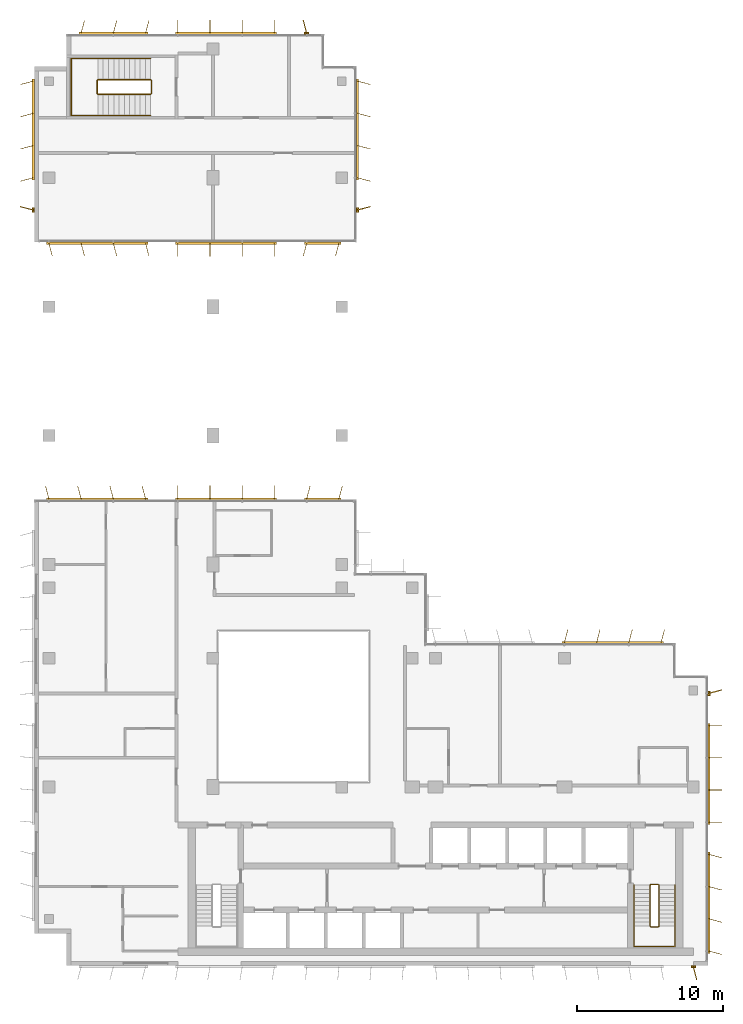
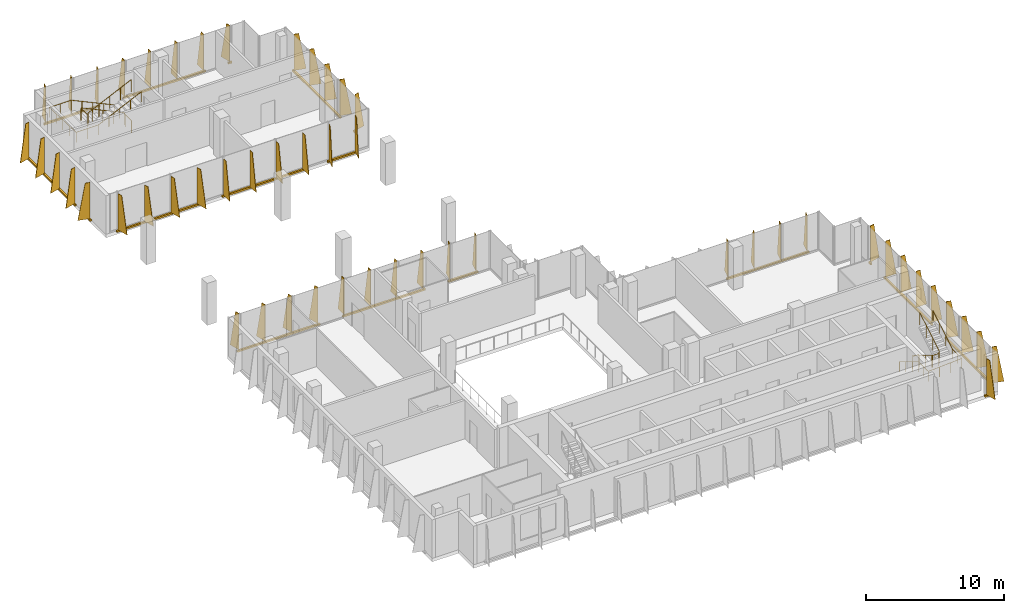
# One storey, part 14 of 14: 18 shading devices, 4 railings.
"""IFC4 building model written with IfcOpenShell, lengths in metres."""

import ifcopenshell
import ifcopenshell.guid

model = None  # the IFC model being written
_history = None  # IfcOwnerHistory: only IFC2X3 demands one
_inside = {}  # id of a spatial element -> (the spatial element, [elements in it])
_under = {}  # id of a project, library or spatial element -> (it, [spatial elements below it])
_declared = {}  # id of a project -> (the project, [libraries it declares])
_typed = {}  # id of a type object -> (the type object, [elements of that type])
_made_of = {}  # id of a material, layer set ... -> (it, [elements and type objects made of it])


def new_model(schema):
    """Start an empty IFC model of exactly this schema.

    Asked for "IFC4X3", IfcOpenShell would pick the latest addendum, in which some entities
    have other attributes; the version numbers below select the first issue.
    IFC2X3 requires an IfcOwnerHistory on every rooted entity: one is made here for all.
    """
    global model, _history
    if schema == "IFC4X3":
        model = ifcopenshell.file(schema_version=(4, 3, 0, 0))
    else:
        model = ifcopenshell.file(schema=schema)
    _inside.clear()
    _under.clear()
    _declared.clear()
    _typed.clear()
    _made_of.clear()
    _history = None
    if model.schema == "IFC2X3":
        org = make("IfcOrganization", Name="unknown")
        user = make(
            "IfcPersonAndOrganization",
            ThePerson=make("IfcPerson", FamilyName="unknown"),
            TheOrganization=org,
        )
        app = make(
            "IfcApplication",
            ApplicationDeveloper=org,
            Version="unknown",
            ApplicationFullName="unknown",
            ApplicationIdentifier="unknown",
        )
        _history = make(
            "IfcOwnerHistory",
            OwningUser=user,
            OwningApplication=app,
            ChangeAction="ADDED",
            CreationDate=0,
        )
    return model


def make(cls, **values):
    """One entity of the class cls with the attributes given. An attribute that is None is left unset."""
    return model.create_entity(
        cls, **{name: value for name, value in values.items() if value is not None}
    )


def rooted(cls, **values):
    """An entity with a GlobalId (a new one), such as an element, a storey or a relation."""
    return make(cls, GlobalId=ifcopenshell.guid.new(), OwnerHistory=_history, **values)


def si_unit(unit_type, name, prefix=None):
    """IfcSIUnit, for example si_unit("LENGTHUNIT", "METRE", prefix="MILLI")."""
    return make("IfcSIUnit", UnitType=unit_type, Prefix=prefix, Name=name)


def assignment(units):
    """IfcUnitAssignment: the units of a project."""
    return None if units is None else make("IfcUnitAssignment", Units=units)


def point(xyz):
    """IfcCartesianPoint."""
    return None if xyz is None else make("IfcCartesianPoint", Coordinates=xyz)


def direction(xyz):
    """IfcDirection."""
    return None if xyz is None else make("IfcDirection", DirectionRatios=xyz)


def frame(location, z_axis=None, x_axis=None):
    """IfcAxis2Placement3D, a coordinate frame: its origin and axes. An axis left out is left unset."""
    return make(
        "IfcAxis2Placement3D",
        Location=point(location),
        Axis=direction(z_axis),
        RefDirection=direction(x_axis),
    )


def frame_2d(location, x_axis=None):
    """IfcAxis2Placement2D, a coordinate frame in the plane: its origin and x axis."""
    return make(
        "IfcAxis2Placement2D", Location=point(location), RefDirection=direction(x_axis)
    )


def origin():
    """The frame at (0, 0, 0) with its axes left unset."""
    return frame((0.0, 0.0, 0.0))


def origin_2d():
    """The frame at (0, 0) in the plane with its x axis left unset."""
    return frame_2d((0.0, 0.0))


def place(relative_to, where):
    """IfcLocalPlacement: puts the frame where relative to a parent placement (None: the world)."""
    return make(
        "IfcLocalPlacement", PlacementRelTo=relative_to, RelativePlacement=where
    )


def context(
    kind, dimensions, precision=None, world=None, true_north=None, identifier=None
):
    """IfcGeometricRepresentationContext, for example the 3D "Model" context."""
    return make(
        "IfcGeometricRepresentationContext",
        ContextIdentifier=identifier,
        ContextType=kind,
        CoordinateSpaceDimension=dimensions,
        Precision=precision,
        WorldCoordinateSystem=world,
        TrueNorth=true_north,
    )


def subcontext(parent, identifier, kind, view, scale=None):
    """IfcGeometricRepresentationSubContext, for example "Body" below "Model"."""
    return make(
        "IfcGeometricRepresentationSubContext",
        ContextIdentifier=identifier,
        ContextType=kind,
        ParentContext=parent,
        TargetScale=scale,
        TargetView=view,
    )


def project(units=None, contexts=None):
    """IfcProject with its units and contexts."""
    return rooted(
        "IfcProject",
        Name="project",
        RepresentationContexts=contexts,
        UnitsInContext=assignment(units),
    )


def spatial(cls, under=None, at=None, **own):
    """A site, building, storey or space (cls), placed at a placement, below another one or the project."""
    s = rooted(cls, ObjectPlacement=at, **own)
    if under is not None:
        _under.setdefault(under.id(), (under, []))[1].append(s)
    return s


def polyline(points):
    """IfcPolyline through the points."""
    return make("IfcPolyline", Points=[point(p) for p in points])


def profile(cls, at=None, kind="AREA", **sizes):
    """A parametric profile (cls). Its sizes go by their IFC names, for example OverallWidth=200.0."""
    return make(cls, ProfileType=kind, Position=at, **sizes)


def rectangle(**sizes):
    """IfcRectangleProfileDef."""
    return profile("IfcRectangleProfileDef", **sizes)


def circle(**sizes):
    """IfcCircleProfileDef."""
    return profile("IfcCircleProfileDef", **sizes)


def outline(outer, holes=None, kind="AREA"):
    """IfcArbitraryClosedProfileDef: a profile drawn as a closed curve; with holes, ...WithVoids."""
    if holes is None:
        return make("IfcArbitraryClosedProfileDef", ProfileType=kind, OuterCurve=outer)
    return make(
        "IfcArbitraryProfileDefWithVoids",
        ProfileType=kind,
        OuterCurve=outer,
        InnerCurves=holes,
    )


def extrude(swept, where, along, depth):
    """IfcExtrudedAreaSolid: the profile swept, set in the frame where, extruded along a direction by depth."""
    return make(
        "IfcExtrudedAreaSolid",
        SweptArea=swept,
        Position=where,
        ExtrudedDirection=direction(along),
        Depth=depth,
    )


def shape(context_of_items, identifier, shape_type, items):
    """IfcShapeRepresentation: the items that make up one representation, for example the "Body"."""
    return make(
        "IfcShapeRepresentation",
        ContextOfItems=context_of_items,
        RepresentationIdentifier=identifier,
        RepresentationType=shape_type,
        Items=items,
    )


def source(mapping_origin, context_of_items, identifier, shape_type, items):
    """IfcRepresentationMap: a shape defined once, which mapped items show again and again."""
    return make(
        "IfcRepresentationMap",
        MappingOrigin=mapping_origin,
        MappedRepresentation=shape(context_of_items, identifier, shape_type, items),
    )


def transform(
    local_origin,
    x_axis=None,
    y_axis=None,
    z_axis=None,
    scale=None,
    scale2=None,
    scale3=None,
    uniform=True,
):
    """IfcCartesianTransformationOperator3D, or its non-uniform kind. x_axis, y_axis, z_axis: its Axis1, 2, 3."""
    if uniform:
        return make(
            "IfcCartesianTransformationOperator3D",
            Axis1=direction(x_axis),
            Axis2=direction(y_axis),
            LocalOrigin=point(local_origin),
            Scale=scale,
            Axis3=direction(z_axis),
        )
    return make(
        "IfcCartesianTransformationOperator3DnonUniform",
        Axis1=direction(x_axis),
        Axis2=direction(y_axis),
        LocalOrigin=point(local_origin),
        Scale=scale,
        Axis3=direction(z_axis),
        Scale2=scale2,
        Scale3=scale3,
    )


def mapped(mapping_source, mapping_target):
    """IfcMappedItem: shows the shape of a source again, moved by a transform."""
    return make(
        "IfcMappedItem", MappingSource=mapping_source, MappingTarget=mapping_target
    )


def material(Name=None, Category=None):
    """IfcMaterial."""
    return make("IfcMaterial", Name=Name, Category=Category)


def layer(
    of_material, thickness, ventilated=None, Name=None, Category=None, Priority=None
):
    """IfcMaterialLayer: one layer of a wall or slab, of a material (None: an air gap)."""
    return make(
        "IfcMaterialLayer",
        Material=of_material,
        LayerThickness=thickness,
        IsVentilated=ventilated,
        Name=Name,
        Category=Category,
        Priority=Priority,
    )


def layer_set(layers, Name=None):
    """IfcMaterialLayerSet."""
    return make("IfcMaterialLayerSet", MaterialLayers=layers, LayerSetName=Name)


def made_of(thing, what):
    """Note that an element or type object is made of a material, layer set ...; save() writes the relation."""
    if what is not None:
        _made_of.setdefault(what.id(), (what, []))[1].append(thing)
    return thing


def type_object(cls, material=None, **own):
    """A type object (cls), such as IfcWallType, which elements share."""
    return made_of(rooted(cls, **own), material)


def element(
    cls,
    number,
    at=None,
    inside=None,
    cuts=None,
    type_object=None,
    material=None,
    context=None,
    identifier="Body",
    shape_type=None,
    held_by="IfcProductDefinitionShape",
    body=None,
    shapes=None,
    **own,
):
    """One element of the class cls, such as IfcWall. Its Tag is "e" and its number.

    at: its placement. inside: the storey or other place that contains it. cuts: it is an
    opening in that element (IfcRelVoidsElement). A single representation is given by context,
    identifier, shape_type and body (its items); several are given by shapes. held_by: the class
    of the entity that holds the representations. save() writes the other relations.
    """
    e = rooted(cls, Tag="e%d" % number, ObjectPlacement=at, **own)
    if body is not None:
        shapes = [shape(context, identifier, shape_type, body)]
    if shapes is not None:
        e.Representation = make(held_by, Representations=shapes)
    if inside is not None:
        _inside.setdefault(inside.id(), (inside, []))[1].append(e)
    if cuts is not None:
        rooted(
            "IfcRelVoidsElement", RelatingBuildingElement=cuts, RelatedOpeningElement=e
        )
    if type_object is not None:
        _typed.setdefault(type_object.id(), (type_object, []))[1].append(e)
    return made_of(e, material)


def aggregate(whole, parts):
    """IfcRelAggregates: a whole, such as a stair, and the parts it consists of."""
    return rooted("IfcRelAggregates", RelatingObject=whole, RelatedObjects=parts)


def save(model, path):
    """Write the relations noted so far, then the file.

    IfcRelAggregates (storeys below a building ...), IfcRelContainedInSpatialStructure (elements
    in a storey), IfcRelDefinesByType, IfcRelAssociatesMaterial and IfcRelDeclares: one each for
    every whole, place, type object, material and project.
    """
    for whole, parts in _under.values():
        aggregate(whole, parts)
    for where, things in _inside.values():
        rooted(
            "IfcRelContainedInSpatialStructure",
            RelatedElements=things,
            RelatingStructure=where,
        )
    for kind, things in _typed.values():
        rooted("IfcRelDefinesByType", RelatedObjects=things, RelatingType=kind)
    for what, things in _made_of.values():
        rooted("IfcRelAssociatesMaterial", RelatedObjects=things, RelatingMaterial=what)
    for by, libraries in _declared.values():
        rooted("IfcRelDeclares", RelatingContext=by, RelatedDefinitions=libraries)
    model.write(path)


model = new_model("IFC4")

# Units and contexts
model_context = context("Model", 3, precision=1e-05, world=origin(), true_north=direction((0.0, 1.0)))
body_context = subcontext(model_context, "Body", "Model", "MODEL_VIEW")
ifc_project = project(units=[si_unit("LENGTHUNIT", "METRE"), si_unit("AREAUNIT", "SQUARE_METRE"), si_unit("VOLUMEUNIT", "CUBIC_METRE"), si_unit("PLANEANGLEUNIT", "RADIAN"), si_unit("MASSUNIT", "GRAM", prefix="KILO")], contexts=[model_context])

# Site, building, storey
site_placement = place(None, origin())
site = spatial("IfcSite", under=ifc_project, at=site_placement, CompositionType="ELEMENT")
building_placement = place(site_placement, origin())
building = spatial("IfcBuilding", under=site, at=building_placement, Name="Kemantara Hotel Tower", CompositionType="ELEMENT")
storey_placement = place(building_placement, frame((0.0, 0.0, 248.699951171875)))
storey = spatial("IfcBuildingStorey", under=building, at=storey_placement, Name="L62", CompositionType="ELEMENT", Elevation=248.699951171875)

# Railings
ifc_material_1 = material(Name="Stainless steel balustrade", Category="steel")
railing_type_1 = type_object("IfcRailingType", Name="Stair guard 1100 mm", PredefinedType="GUARDRAIL", material=ifc_material_1)
railing_1_placement = place(storey_placement, frame((42.64990234375, 5.5, 3.699951171875)))
element("IfcRailing", 1, at=railing_1_placement, inside=storey, type_object=railing_type_1, Name="L62 ST2 stair guard 1", PredefinedType="GUARDRAIL", context=body_context, shape_type="SweptSolid", body=[
    extrude(circle(Radius=0.02392578125, at=origin_2d()), frame((0.0, 0.0, 1.076171875), z_axis=(0.0, -0.857275202839, -0.514858452973), x_axis=(1.0, 0.0, 0.0)), (0.0, 0.0, 1.0), 3.26611328125),
    extrude(circle(Radius=0.02392578125, at=origin_2d()), frame((0.0, -2.800048828125, -0.60546875), z_axis=(-0.273006030465, -0.27434429532, -0.922064485248), x_axis=(0.708833529934, -0.705375805398, 0.0)), (0.0, 0.0, 1.0), 0.182373046875),
    extrude(circle(Radius=0.02392578125, at=origin_2d()), frame((-0.0498046875, -2.85009765625, -0.77392578125), z_axis=(-1.0, 0.0, 0.0), x_axis=(0.0, -1.0, 0.0)), (0.0, 0.0, 1.0), 0.5),
    extrude(circle(Radius=0.02392578125, at=origin_2d()), frame((-0.5498046875, -2.85009765625, -0.77392578125), z_axis=(-0.707106781187, 0.707106781187, 0.0), x_axis=(-0.707106781187, -0.707106781187, 0.0)), (0.0, 0.0, 1.0), 0.07080078125),
    extrude(circle(Radius=0.02392578125, at=origin_2d()), frame((-0.599853515625, -2.800048828125, -0.77392578125), z_axis=(0.0, 0.857242210791, -0.514913383045), x_axis=(-1.0, 0.0, 0.0)), (0.0, 0.0, 1.0), 3.266357421875),
    extrude(circle(Radius=0.02392578125, at=origin_2d()), frame((-0.599853515625, 0.0, -2.45556640625), z_axis=(0.274243871929, 0.274243871929, -0.92172696468), x_axis=(-0.707106781187, 0.707106781187, 0.0)), (0.0, 0.0, 1.0), 0.1826171875),
    extrude(circle(Radius=0.02392578125, at=origin_2d()), frame((-0.5498046875, 0.050048828125, -2.6240234375), z_axis=(1.0, 0.0, 0.0), x_axis=(0.0, 1.0, 0.0)), (0.0, 0.0, 1.0), 0.5),
    extrude(circle(Radius=0.02099609375, at=origin_2d()), origin(), (0.0, 0.0, 1.0), 1.052001953125),
    extrude(circle(Radius=0.02099609375, at=origin_2d()), frame((0.0, -0.933349609375, -0.560546875)), (0.0, 0.0, 1.0), 1.052001953125),
    extrude(circle(Radius=0.02099609375, at=origin_2d()), frame((0.0, -1.86669921875, -1.12109375)), (0.0, 0.0, 1.0), 1.052001953125),
    extrude(circle(Radius=0.02099609375, at=origin_2d()), frame((0.0, -2.800048828125, -1.681640625)), (0.0, 0.0, 1.0), 1.052001953125),
    extrude(circle(Radius=0.02099609375, at=origin_2d()), frame((-0.0498046875, -2.85009765625, -1.849853515625)), (0.0, 0.0, 1.0), 1.052001953125),
    extrude(circle(Radius=0.02099609375, at=origin_2d()), frame((-0.5498046875, -2.85009765625, -1.849853515625)), (0.0, 0.0, 1.0), 1.052001953125),
    extrude(circle(Radius=0.02099609375, at=origin_2d()), frame((-0.599853515625, -2.800048828125, -1.849853515625)), (0.0, 0.0, 1.0), 1.052001953125),
    extrude(circle(Radius=0.02099609375, at=origin_2d()), frame((-0.599853515625, -1.86669921875, -2.410400390625)), (0.0, 0.0, 1.0), 1.052001953125),
    extrude(circle(Radius=0.02099609375, at=origin_2d()), frame((-0.599853515625, -0.933349609375, -2.97119140625)), (0.0, 0.0, 1.0), 1.052001953125),
    extrude(circle(Radius=0.02099609375, at=origin_2d()), frame((-0.599853515625, 0.0, -3.53173828125)), (0.0, 0.0, 1.0), 1.052001953125),
    extrude(circle(Radius=0.02099609375, at=origin_2d()), frame((-0.5498046875, 0.050048828125, -3.699951171875)), (0.0, 0.0, 1.0), 1.052001953125),
    extrude(circle(Radius=0.02099609375, at=origin_2d()), frame((-0.0498046875, 0.050048828125, -3.699951171875)), (0.0, 0.0, 1.0), 1.052001953125),
])
railing_2_placement = place(storey_placement, frame((7.949951171875, 59.5, 3.699951171875)))
element("IfcRailing", 2, at=railing_2_placement, inside=storey, type_object=railing_type_1, Name="L62 ST4 stair guard 1", PredefinedType="GUARDRAIL", context=body_context, shape_type="SweptSolid", body=[
    extrude(circle(Radius=0.02392578125, at=origin_2d()), frame((0.0, 0.0, 1.076171875), z_axis=(-0.906018243939, 0.0, -0.423238634402), x_axis=(0.0, -1.0, 0.0)), (0.0, 0.0, 1.0), 3.973388671875),
    extrude(circle(Radius=0.02392578125, at=origin_2d()), frame((-3.599853515625, 0.0, -0.60546875), z_axis=(-0.274243871929, 0.274243871929, -0.92172696468), x_axis=(-0.707106781187, -0.707106781187, 0.0)), (0.0, 0.0, 1.0), 0.1826171875),
    extrude(circle(Radius=0.02392578125, at=origin_2d()), frame((-3.64990234375, 0.050048828125, -0.77392578125), z_axis=(0.0, 1.0, 0.0), x_axis=(-1.0, 0.0, 0.0)), (0.0, 0.0, 1.0), 0.89990234375),
    extrude(circle(Radius=0.02392578125, at=origin_2d()), frame((-3.64990234375, 0.949951171875, -0.77392578125), z_axis=(0.707106781187, 0.707106781187, 0.0), x_axis=(-0.707106781187, 0.707106781187, 0.0)), (0.0, 0.0, 1.0), 0.07080078125),
    extrude(circle(Radius=0.02392578125, at=origin_2d()), frame((-3.599853515625, 1.0, -0.77392578125), z_axis=(0.905994681025, 0.0, -0.423289071386), x_axis=(0.0, 1.0, 0.0)), (0.0, 0.0, 1.0), 3.973388671875),
    extrude(circle(Radius=0.02392578125, at=origin_2d()), frame((0.0, 1.0, -2.45556640625), z_axis=(0.274243871929, -0.274243871929, -0.92172696468), x_axis=(0.707106781187, 0.707106781187, 0.0)), (0.0, 0.0, 1.0), 0.1826171875),
    extrude(circle(Radius=0.02392578125, at=origin_2d()), frame((0.050048828125, 0.949951171875, -2.6240234375), z_axis=(0.0, -1.0, 0.0), x_axis=(1.0, 0.0, 0.0)), (0.0, 0.0, 1.0), 0.89990234375),
    extrude(circle(Radius=0.02099609375, at=origin_2d()), origin(), (0.0, 0.0, 1.0), 1.052001953125),
    extrude(circle(Radius=0.02099609375, at=origin_2d()), frame((-0.89990234375, 0.0, -0.42041015625)), (0.0, 0.0, 1.0), 1.052001953125),
    extrude(circle(Radius=0.02099609375, at=origin_2d()), frame((-1.7998046875, 0.0, -0.8408203125)), (0.0, 0.0, 1.0), 1.052001953125),
    extrude(circle(Radius=0.02099609375, at=origin_2d()), frame((-2.699951171875, 0.0, -1.26123046875)), (0.0, 0.0, 1.0), 1.052001953125),
    extrude(circle(Radius=0.02099609375, at=origin_2d()), frame((-3.599853515625, 0.0, -1.681640625)), (0.0, 0.0, 1.0), 1.052001953125),
    extrude(circle(Radius=0.02099609375, at=origin_2d()), frame((-3.64990234375, 0.050048828125, -1.849853515625)), (0.0, 0.0, 1.0), 1.052001953125),
    extrude(circle(Radius=0.02099609375, at=origin_2d()), frame((-3.64990234375, 0.949951171875, -1.849853515625)), (0.0, 0.0, 1.0), 1.052001953125),
    extrude(circle(Radius=0.02099609375, at=origin_2d()), frame((-3.599853515625, 1.0, -1.849853515625)), (0.0, 0.0, 1.0), 1.052001953125),
    extrude(circle(Radius=0.02099609375, at=origin_2d()), frame((-2.699951171875, 1.0, -2.270263671875)), (0.0, 0.0, 1.0), 1.052001953125),
    extrude(circle(Radius=0.02099609375, at=origin_2d()), frame((-1.7998046875, 1.0, -2.69091796875)), (0.0, 0.0, 1.0), 1.052001953125),
    extrude(circle(Radius=0.02099609375, at=origin_2d()), frame((-0.89990234375, 1.0, -3.111328125)), (0.0, 0.0, 1.0), 1.052001953125),
    extrude(circle(Radius=0.02099609375, at=origin_2d()), frame((0.0, 1.0, -3.53173828125)), (0.0, 0.0, 1.0), 1.052001953125),
    extrude(circle(Radius=0.02099609375, at=origin_2d()), frame((0.050048828125, 0.949951171875, -3.699951171875)), (0.0, 0.0, 1.0), 1.052001953125),
    extrude(circle(Radius=0.02099609375, at=origin_2d()), frame((0.050048828125, 0.050048828125, -3.699951171875)), (0.0, 0.0, 1.0), 1.052001953125),
])
railing_type_2 = type_object("IfcRailingType", Name="Stair handrail 900 mm", PredefinedType="HANDRAIL", material=ifc_material_1)
railing_3_placement = place(storey_placement, frame((40.949951171875, 5.5, 0.168212890625)))
element("IfcRailing", 3, at=railing_3_placement, inside=storey, type_object=railing_type_2, Name="L62 ST2 stair handrail 1", PredefinedType="HANDRAIL", context=body_context, shape_type="SweptSolid", body=[
    extrude(circle(Radius=0.02392578125, at=origin_2d()), frame((0.0, 0.0, 0.8759765625), z_axis=(0.0, -0.857242210791, 0.514913383045), x_axis=(1.0, 0.0, 0.0)), (0.0, 0.0, 1.0), 3.266357421875),
    extrude(circle(Radius=0.02392578125, at=origin_2d()), frame((0.0, -2.800048828125, 2.5576171875), z_axis=(0.0, -1.0, 0.0), x_axis=(1.0, 0.0, 0.0)), (0.0, 0.0, 1.0), 1.3798828125),
    extrude(circle(Radius=0.02392578125, at=origin_2d()), frame((0.0, -4.179931640625, 2.5576171875), z_axis=(0.998200367801, 0.0, 0.059966871865), x_axis=(0.0, 1.0, 0.0)), (0.0, 0.0, 1.0), 2.80517578125),
    extrude(circle(Radius=0.02392578125, at=origin_2d()), frame((2.800048828125, -4.179931640625, 2.72607421875), z_axis=(0.0, 1.0, 0.0), x_axis=(-1.0, 0.0, 0.0)), (0.0, 0.0, 1.0), 1.3798828125),
    extrude(circle(Radius=0.02392578125, at=origin_2d()), frame((2.800048828125, -2.800048828125, 2.72607421875), z_axis=(0.0, 0.857275202839, 0.514858452973), x_axis=(-1.0, 0.0, 0.0)), (0.0, 0.0, 1.0), 3.26611328125),
    extrude(circle(Radius=0.02099609375, at=origin_2d()), origin(), (0.0, 0.0, 1.0), 0.851806640625),
    extrude(circle(Radius=0.02099609375, at=origin_2d()), frame((0.0, -0.933349609375, 0.560546875)), (0.0, 0.0, 1.0), 0.851806640625),
    extrude(circle(Radius=0.02099609375, at=origin_2d()), frame((0.0, -1.86669921875, 1.121337890625)), (0.0, 0.0, 1.0), 0.851806640625),
    extrude(circle(Radius=0.02099609375, at=origin_2d()), frame((0.0, -2.800048828125, 1.681884765625)), (0.0, 0.0, 1.0), 0.851806640625),
    extrude(circle(Radius=0.02099609375, at=origin_2d()), frame((0.0, -3.489990234375, 1.681884765625)), (0.0, 0.0, 1.0), 0.851806640625),
    extrude(circle(Radius=0.02099609375, at=origin_2d()), frame((0.0, -4.179931640625, 1.681884765625)), (0.0, 0.0, 1.0), 0.851806640625),
    extrude(circle(Radius=0.02099609375, at=origin_2d()), frame((0.933349609375, -4.179931640625, 1.738037109375)), (0.0, 0.0, 1.0), 0.851806640625),
    extrude(circle(Radius=0.02099609375, at=origin_2d()), frame((1.86669921875, -4.179931640625, 1.7939453125)), (0.0, 0.0, 1.0), 0.851806640625),
    extrude(circle(Radius=0.02099609375, at=origin_2d()), frame((2.800048828125, -4.179931640625, 1.85009765625)), (0.0, 0.0, 1.0), 0.851806640625),
    extrude(circle(Radius=0.02099609375, at=origin_2d()), frame((2.800048828125, -3.489990234375, 1.85009765625)), (0.0, 0.0, 1.0), 0.851806640625),
    extrude(circle(Radius=0.02099609375, at=origin_2d()), frame((2.800048828125, -2.800048828125, 1.85009765625)), (0.0, 0.0, 1.0), 0.851806640625),
    extrude(circle(Radius=0.02099609375, at=origin_2d()), frame((2.800048828125, -1.86669921875, 2.41064453125)), (0.0, 0.0, 1.0), 0.851806640625),
    extrude(circle(Radius=0.02099609375, at=origin_2d()), frame((2.800048828125, -0.933349609375, 2.97119140625)), (0.0, 0.0, 1.0), 0.851806640625),
    extrude(circle(Radius=0.02099609375, at=origin_2d()), frame((2.800048828125, 0.0, 3.53173828125)), (0.0, 0.0, 1.0), 0.851806640625),
])
railing_4_placement = place(storey_placement, frame((7.949951171875, 61.949951171875, 0.168212890625)))
element("IfcRailing", 4, at=railing_4_placement, inside=storey, type_object=railing_type_2, Name="L62 ST4 stair handrail 1", PredefinedType="HANDRAIL", context=body_context, shape_type="SweptSolid", body=[
    extrude(circle(Radius=0.02392578125, at=origin_2d()), frame((0.0, 0.0, 0.8759765625), z_axis=(-0.905994681025, 0.0, 0.423289071386), x_axis=(0.0, -1.0, 0.0)), (0.0, 0.0, 1.0), 3.973388671875),
    extrude(circle(Radius=0.02392578125, at=origin_2d()), frame((-3.599853515625, 0.0, 2.5576171875), z_axis=(-1.0, 0.0, 0.0), x_axis=(0.0, -1.0, 0.0)), (0.0, 0.0, 1.0), 1.830078125),
    extrude(circle(Radius=0.02392578125, at=origin_2d()), frame((-5.429931640625, 0.0, 2.5576171875), z_axis=(0.0, -0.999071085748, 0.043092523981), x_axis=(1.0, 0.0, 0.0)), (0.0, 0.0, 1.0), 3.903564453125),
    extrude(circle(Radius=0.02392578125, at=origin_2d()), frame((-5.429931640625, -3.89990234375, 2.72607421875), z_axis=(1.0, 0.0, 0.0), x_axis=(0.0, 1.0, 0.0)), (0.0, 0.0, 1.0), 1.830078125),
    extrude(circle(Radius=0.02392578125, at=origin_2d()), frame((-3.599853515625, -3.89990234375, 2.72607421875), z_axis=(0.906018243939, 0.0, 0.423238634402), x_axis=(0.0, 1.0, 0.0)), (0.0, 0.0, 1.0), 3.973388671875),
    extrude(circle(Radius=0.02099609375, at=origin_2d()), origin(), (0.0, 0.0, 1.0), 0.851806640625),
    extrude(circle(Radius=0.02099609375, at=origin_2d()), frame((-0.89990234375, 0.0, 0.42041015625)), (0.0, 0.0, 1.0), 0.851806640625),
    extrude(circle(Radius=0.02099609375, at=origin_2d()), frame((-1.7998046875, 0.0, 0.8408203125)), (0.0, 0.0, 1.0), 0.851806640625),
    extrude(circle(Radius=0.02099609375, at=origin_2d()), frame((-2.699951171875, 0.0, 1.261474609375)), (0.0, 0.0, 1.0), 0.851806640625),
    extrude(circle(Radius=0.02099609375, at=origin_2d()), frame((-3.599853515625, 0.0, 1.681884765625)), (0.0, 0.0, 1.0), 0.851806640625),
    extrude(circle(Radius=0.02099609375, at=origin_2d()), frame((-4.514892578125, 0.0, 1.681884765625)), (0.0, 0.0, 1.0), 0.851806640625),
    extrude(circle(Radius=0.02099609375, at=origin_2d()), frame((-5.429931640625, 0.0, 1.681884765625)), (0.0, 0.0, 1.0), 0.851806640625),
    extrude(circle(Radius=0.02099609375, at=origin_2d()), frame((-5.429931640625, -0.97509765625, 1.723876953125)), (0.0, 0.0, 1.0), 0.851806640625),
    extrude(circle(Radius=0.02099609375, at=origin_2d()), frame((-5.429931640625, -1.949951171875, 1.76611328125)), (0.0, 0.0, 1.0), 0.851806640625),
    extrude(circle(Radius=0.02099609375, at=origin_2d()), frame((-5.429931640625, -2.9248046875, 1.80810546875)), (0.0, 0.0, 1.0), 0.851806640625),
    extrude(circle(Radius=0.02099609375, at=origin_2d()), frame((-5.429931640625, -3.89990234375, 1.85009765625)), (0.0, 0.0, 1.0), 0.851806640625),
    extrude(circle(Radius=0.02099609375, at=origin_2d()), frame((-4.514892578125, -3.89990234375, 1.85009765625)), (0.0, 0.0, 1.0), 0.851806640625),
    extrude(circle(Radius=0.02099609375, at=origin_2d()), frame((-3.599853515625, -3.89990234375, 1.85009765625)), (0.0, 0.0, 1.0), 0.851806640625),
    extrude(circle(Radius=0.02099609375, at=origin_2d()), frame((-2.699951171875, -3.89990234375, 2.2705078125)), (0.0, 0.0, 1.0), 0.851806640625),
    extrude(circle(Radius=0.02099609375, at=origin_2d()), frame((-1.7998046875, -3.89990234375, 2.69091796875)), (0.0, 0.0, 1.0), 0.851806640625),
    extrude(circle(Radius=0.02099609375, at=origin_2d()), frame((-0.89990234375, -3.89990234375, 3.111328125)), (0.0, 0.0, 1.0), 0.851806640625),
    extrude(circle(Radius=0.02099609375, at=origin_2d()), frame((0.0, -3.89990234375, 3.53173828125)), (0.0, 0.0, 1.0), 0.851806640625),
])

# Shading devices
ifc_material_2 = material(Name="Perforated aluminium plate 4 mm bronze anodised", Category="aluminium")
ifc_layer_1 = layer(ifc_material_2, 0.0400390625)
ifc_layer_set_1 = layer_set([ifc_layer_1], Name="Perforated aluminium plate 4 mm bronze anodised")
shading_device_type_1 = type_object("IfcShadingDeviceType", Name="SCREEN FIN CASSETTE, 3 BLADES AT -15.0 DEG, 3200 HIGH", PredefinedType="USERDEFINED", material=ifc_layer_set_1)
shared_shape_1 = source(origin(), body_context, "Body", "SweptSolid", [
    extrude(rectangle(XDim=4.699951171875, YDim=0.14990234375, at=origin_2d()), frame((2.199951171875, -0.074951171875, -0.14990234375), z_axis=(0.0, 0.0, 1.0), x_axis=(1.0, 0.0, 0.0)), (0.0, 0.0, 1.0), 0.14990234375),
    extrude(outline(polyline([(0.0, 0.0), (0.89990234375, 0.0), (0.35009765625, 3.199951171875), (0.0, 3.199951171875), (0.0, 0.0)])), frame((0.019287109375, -0.080078125, 0.0), z_axis=(-0.966437683387, 0.256901156343, 0.0), x_axis=(-0.256901156343, -0.966437683387, 0.0)), (0.0, 0.0, 1.0), 0.039794921875),
    extrude(outline(polyline([(0.0, 0.0), (0.89990234375, 0.0), (0.35009765625, 3.199951171875), (0.0, 3.199951171875), (0.0, 0.0)])), frame((2.21923828125, -0.080078125, 0.0), z_axis=(-0.966437683387, 0.256901156343, 0.0), x_axis=(-0.256901156343, -0.966437683387, 0.0)), (0.0, 0.0, 1.0), 0.039794921875),
    extrude(outline(polyline([(0.0, 0.0), (0.89990234375, 0.0), (0.35009765625, 3.199951171875), (0.0, 3.199951171875), (0.0, 0.0)])), frame((4.41943359375, -0.080078125, 0.0), z_axis=(-0.966837822169, 0.255391122837, 0.0), x_axis=(-0.255391122837, -0.966837822169, 0.0)), (0.0, 0.0, 1.0), 0.0400390625),
])
shading_device_1_placement = place(storey_placement, frame((7.60009765625, 63.60009765625, 0.10009765625), z_axis=(0.0, 0.0, 1.0), x_axis=(-1.0, 0.0, 0.0)))
element("IfcShadingDevice", 5, at=shading_device_1_placement, inside=storey, type_object=shading_device_type_1, Name="SCREEN FIN CASSETTE L62 T4P-R16-3", ObjectType="SCREEN FIN", PredefinedType="USERDEFINED", context=body_context, shape_type="MappedRepresentation", body=[
    mapped(shared_shape_1, transform((0.0, 0.0, 0.0))),
])
ifc_layer_2 = layer(ifc_material_2, 0.0400390625)
ifc_layer_set_2 = layer_set([ifc_layer_2], Name="Perforated aluminium plate 4 mm bronze anodised")
shading_device_type_2 = type_object("IfcShadingDeviceType", Name="SCREEN FIN CASSETTE, 4 BLADES AT +0.0 DEG, 3200 HIGH", PredefinedType="USERDEFINED", material=ifc_layer_set_2)
shared_shape_2 = source(origin(), body_context, "Body", "SweptSolid", [
    extrude(rectangle(XDim=6.89990234375, YDim=0.14990234375, at=origin_2d()), frame((3.300048828125, -0.074951171875, -0.14990234375), z_axis=(0.0, 0.0, 1.0), x_axis=(1.0, 0.0, 0.0)), (0.0, 0.0, 1.0), 0.14990234375),
    extrude(outline(polyline([(0.0, 0.0), (0.89990234375, 0.0), (0.35009765625, 3.199951171875), (0.0, 3.199951171875), (0.0, 0.0)])), frame((0.02001953125, -0.074951171875, 0.0), z_axis=(-1.0, 0.0, 0.0), x_axis=(0.0, -1.0, 0.0)), (0.0, 0.0, 1.0), 0.0400390625),
    extrude(outline(polyline([(0.0, 0.0), (0.89990234375, 0.0), (0.35009765625, 3.199951171875), (0.0, 3.199951171875), (0.0, 0.0)])), frame((2.219970703125, -0.074951171875, 0.0), z_axis=(-1.0, 0.0, 0.0), x_axis=(0.0, -1.0, 0.0)), (0.0, 0.0, 1.0), 0.0400390625),
    extrude(outline(polyline([(0.0, 0.0), (0.89990234375, 0.0), (0.35009765625, 3.199951171875), (0.0, 3.199951171875), (0.0, 0.0)])), frame((4.419921875, -0.074951171875, 0.0), z_axis=(-1.0, 0.0, 0.0), x_axis=(0.0, -1.0, 0.0)), (0.0, 0.0, 1.0), 0.0400390625),
    extrude(outline(polyline([(0.0, 0.0), (0.89990234375, 0.0), (0.35009765625, 3.199951171875), (0.0, 3.199951171875), (0.0, 0.0)])), frame((6.6201171875, -0.074951171875, 0.0), z_axis=(-1.0, 0.0, 0.0), x_axis=(0.0, -1.0, 0.0)), (0.0, 0.0, 1.0), 0.0400390625),
])
for number, where, z_axis, x_axis, name in (
    (6, (16.39990234375, 31.800048828125, 0.10009765625), (0.0, 0.0, 1.0), (-1.0, 0.0, 0.0), "SCREEN FIN CASSETTE L62 T4P-R01-2"),
    (7, (46.0, 9.800048828125, 0.10009765625), (0.0, 0.0, 1.0), (0.0, 1.0, 0.0), "SCREEN FIN CASSETTE L62 T4P-R06-2"),
    (8, (9.800048828125, 49.39990234375, 0.10009765625), (0.0, 0.0, 1.0), (1.0, 0.0, 0.0), "SCREEN FIN CASSETTE L62 T4P-R12-2"),
    (9, (16.39990234375, 63.60009765625, 0.10009765625), (0.0, 0.0, 1.0), (-1.0, 0.0, 0.0), "SCREEN FIN CASSETTE L62 T4P-R16-2"),
):
    element("IfcShadingDevice", number, at=place(storey_placement, frame(where, z_axis=z_axis, x_axis=x_axis)), inside=storey, type_object=shading_device_type_2, Name=name, ObjectType="SCREEN FIN", PredefinedType="USERDEFINED", context=body_context, shape_type="MappedRepresentation", body=[
        mapped(shared_shape_2, transform((0.0, 0.0, 0.0))),
    ])
ifc_layer_3 = layer(ifc_material_2, 0.0400390625)
ifc_layer_set_3 = layer_set([ifc_layer_3], Name="Perforated aluminium plate 4 mm bronze anodised")
shading_device_type_3 = type_object("IfcShadingDeviceType", Name="SCREEN FIN CASSETTE, 4 BLADES AT +15.0 DEG, 3200 HIGH", PredefinedType="USERDEFINED", material=ifc_layer_set_3)
shared_shape_3 = source(origin(), body_context, "Body", "SweptSolid", [
    extrude(rectangle(XDim=6.89990234375, YDim=0.14990234375, at=origin_2d()), frame((3.300048828125, -0.074951171875, -0.14990234375), z_axis=(0.0, 0.0, 1.0), x_axis=(1.0, 0.0, 0.0)), (0.0, 0.0, 1.0), 0.14990234375),
    extrude(outline(polyline([(0.0, 0.0), (0.89990234375, 0.0), (0.35009765625, 3.199951171875), (0.0, 3.199951171875), (0.0, 0.0)])), frame((0.019287109375, -0.06982421875, 0.0), z_axis=(-0.966437683387, -0.256901156343, 0.0), x_axis=(0.256901156343, -0.966437683387, 0.0)), (0.0, 0.0, 1.0), 0.039794921875),
    extrude(outline(polyline([(0.0, 0.0), (0.89990234375, 0.0), (0.35009765625, 3.199951171875), (0.0, 3.199951171875), (0.0, 0.0)])), frame((2.21923828125, -0.06982421875, 0.0), z_axis=(-0.966437683387, -0.256901156343, 0.0), x_axis=(0.256901156343, -0.966437683387, 0.0)), (0.0, 0.0, 1.0), 0.039794921875),
    extrude(outline(polyline([(0.0, 0.0), (0.89990234375, 0.0), (0.35009765625, 3.199951171875), (0.0, 3.199951171875), (0.0, 0.0)])), frame((4.41943359375, -0.06982421875, 0.0), z_axis=(-0.966837822169, -0.255391122837, 0.0), x_axis=(0.255391122837, -0.966837822169, 0.0)), (0.0, 0.0, 1.0), 0.0400390625),
    extrude(outline(polyline([(0.0, 0.0), (0.89990234375, 0.0), (0.35009765625, 3.199951171875), (0.0, 3.199951171875), (0.0, 0.0)])), frame((6.619384765625, -0.06982421875, 0.0), z_axis=(-0.966837822169, -0.255391122837, 0.0), x_axis=(0.255391122837, -0.966837822169, 0.0)), (0.0, 0.0, 1.0), 0.0400390625),
])
for number, where, z_axis, x_axis, name in (
    (10, (7.60009765625, 31.800048828125, 0.10009765625), (0.0, 0.0, 1.0), (-1.0, 0.0, 0.0), "SCREEN FIN CASSETTE L62 T4P-R01-3"),
    (11, (1.0, 49.39990234375, 0.10009765625), (0.0, 0.0, 1.0), (1.0, 0.0, 0.0), "SCREEN FIN CASSETTE L62 T4P-R12-1"),
    (12, (0.0, 60.39990234375, 0.10009765625), (0.0, 0.0, 1.0), (0.0, -1.0, 0.0), "SCREEN FIN CASSETTE L62 T4P-R19-1"),
):
    element("IfcShadingDevice", number, at=place(storey_placement, frame(where, z_axis=z_axis, x_axis=x_axis)), inside=storey, type_object=shading_device_type_3, Name=name, ObjectType="SCREEN FIN", PredefinedType="USERDEFINED", context=body_context, shape_type="MappedRepresentation", body=[
        mapped(shared_shape_3, transform((0.0, 0.0, 0.0))),
    ])
ifc_layer_4 = layer(ifc_material_2, 0.0400390625)
ifc_layer_set_4 = layer_set([ifc_layer_4], Name="Perforated aluminium plate 4 mm bronze anodised")
shading_device_type_4 = type_object("IfcShadingDeviceType", Name="SCREEN FIN CASSETTE, 4 BLADES AT -15.0 DEG, 3200 HIGH", PredefinedType="USERDEFINED", material=ifc_layer_set_4)
shared_shape_4 = source(origin(), body_context, "Body", "SweptSolid", [
    extrude(rectangle(XDim=6.89990234375, YDim=0.14990234375, at=origin_2d()), frame((3.300048828125, -0.074951171875, -0.14990234375), z_axis=(0.0, 0.0, 1.0), x_axis=(1.0, 0.0, 0.0)), (0.0, 0.0, 1.0), 0.14990234375),
    extrude(outline(polyline([(0.0, 0.0), (0.89990234375, 0.0), (0.35009765625, 3.199951171875), (0.0, 3.199951171875), (0.0, 0.0)])), frame((0.019287109375, -0.080078125, 0.0), z_axis=(-0.966437683387, 0.256901156343, 0.0), x_axis=(-0.256901156343, -0.966437683387, 0.0)), (0.0, 0.0, 1.0), 0.039794921875),
    extrude(outline(polyline([(0.0, 0.0), (0.89990234375, 0.0), (0.35009765625, 3.199951171875), (0.0, 3.199951171875), (0.0, 0.0)])), frame((2.21923828125, -0.080078125, 0.0), z_axis=(-0.966437683387, 0.256901156343, 0.0), x_axis=(-0.256901156343, -0.966437683387, 0.0)), (0.0, 0.0, 1.0), 0.039794921875),
    extrude(outline(polyline([(0.0, 0.0), (0.89990234375, 0.0), (0.35009765625, 3.199951171875), (0.0, 3.199951171875), (0.0, 0.0)])), frame((4.41943359375, -0.080078125, 0.0), z_axis=(-0.966837822169, 0.255391122837, 0.0), x_axis=(-0.255391122837, -0.966837822169, 0.0)), (0.0, 0.0, 1.0), 0.0400390625),
    extrude(outline(polyline([(0.0, 0.0), (0.89990234375, 0.0), (0.35009765625, 3.199951171875), (0.0, 3.199951171875), (0.0, 0.0)])), frame((6.619384765625, -0.080078125, 0.0), z_axis=(-0.966837822169, 0.255391122837, 0.0), x_axis=(-0.255391122837, -0.966837822169, 0.0)), (0.0, 0.0, 1.0), 0.0400390625),
])
for number, where, z_axis, x_axis, name in (
    (13, (46.0, 1.0, 0.10009765625), (0.0, 0.0, 1.0), (0.0, 1.0, 0.0), "SCREEN FIN CASSETTE L62 T4P-R06-1"),
    (14, (42.800048828125, 22.0, 0.10009765625), (0.0, 0.0, 1.0), (-1.0, 0.0, 0.0), "SCREEN FIN CASSETTE L62 T4P-R09-1"),
    (15, (22.0, 53.800048828125, 0.10009765625), (0.0, 0.0, 1.0), (0.0, 1.0, 0.0), "SCREEN FIN CASSETTE L62 T4P-R13-2"),
):
    element("IfcShadingDevice", number, at=place(storey_placement, frame(where, z_axis=z_axis, x_axis=x_axis)), inside=storey, type_object=shading_device_type_4, Name=name, ObjectType="SCREEN FIN", PredefinedType="USERDEFINED", context=body_context, shape_type="MappedRepresentation", body=[
        mapped(shared_shape_4, transform((0.0, 0.0, 0.0))),
    ])
ifc_layer_5 = layer(ifc_material_2, 0.0400390625)
ifc_layer_set_5 = layer_set([ifc_layer_5], Name="Perforated aluminium plate 4 mm bronze anodised")
shading_device_type_5 = type_object("IfcShadingDeviceType", Name="SCREEN FIN CASSETTE, 1 BLADE AT +15.0 DEG, 3200 HIGH", PredefinedType="USERDEFINED", material=ifc_layer_set_5)
shared_shape_5 = source(origin(), body_context, "Body", "SweptSolid", [
    extrude(rectangle(XDim=0.300048828125, YDim=0.14990234375, at=origin_2d()), frame((0.0, -0.074951171875, -0.14990234375), z_axis=(0.0, 0.0, 1.0), x_axis=(1.0, 0.0, 0.0)), (0.0, 0.0, 1.0), 0.14990234375),
    extrude(outline(polyline([(0.0, 0.0), (0.89990234375, 0.0), (0.35009765625, 3.199951171875), (0.0, 3.199951171875), (0.0, 0.0)])), frame((0.019287109375, -0.06982421875, 0.0), z_axis=(-0.966437683387, -0.256901156343, 0.0), x_axis=(0.256901156343, -0.966437683387, 0.0)), (0.0, 0.0, 1.0), 0.039794921875),
])
for number, where, z_axis, x_axis, name in (
    (16, (45.0, 0.0, 0.10009765625), (0.0, 0.0, 1.0), (1.0, 0.0, 0.0), "SCREEN FIN CASSETTE L62 T4P-R05-6"),
    (17, (46.0, 18.60009765625, 0.10009765625), (0.0, 0.0, 1.0), (0.0, 1.0, 0.0), "SCREEN FIN CASSETTE L62 T4P-R06-3"),
    (18, (22.0, 51.60009765625, 0.10009765625), (0.0, 0.0, 1.0), (0.0, 1.0, 0.0), "SCREEN FIN CASSETTE L62 T4P-R13-1"),
    (19, (18.60009765625, 63.60009765625, 0.10009765625), (0.0, 0.0, 1.0), (-1.0, 0.0, 0.0), "SCREEN FIN CASSETTE L62 T4P-R16-1"),
):
    element("IfcShadingDevice", number, at=place(storey_placement, frame(where, z_axis=z_axis, x_axis=x_axis)), inside=storey, type_object=shading_device_type_5, Name=name, ObjectType="SCREEN FIN", PredefinedType="USERDEFINED", context=body_context, shape_type="MappedRepresentation", body=[
        mapped(shared_shape_5, transform((0.0, 0.0, 0.0))),
    ])
ifc_layer_6 = layer(ifc_material_2, 0.0400390625)
ifc_layer_set_6 = layer_set([ifc_layer_6], Name="Perforated aluminium plate 4 mm bronze anodised")
shading_device_type_6 = type_object("IfcShadingDeviceType", Name="SCREEN FIN CASSETTE, 2 BLADES AT -15.0 DEG, 3200 HIGH", PredefinedType="USERDEFINED", material=ifc_layer_set_6)
shared_shape_6 = source(origin(), body_context, "Body", "SweptSolid", [
    extrude(rectangle(XDim=2.5, YDim=0.14990234375, at=origin_2d()), frame((1.10009765625, -0.074951171875, -0.14990234375), z_axis=(0.0, 0.0, 1.0), x_axis=(1.0, 0.0, 0.0)), (0.0, 0.0, 1.0), 0.14990234375),
    extrude(outline(polyline([(0.0, 0.0), (0.89990234375, 0.0), (0.35009765625, 3.199951171875), (0.0, 3.199951171875), (0.0, 0.0)])), frame((0.019287109375, -0.080078125, 0.0), z_axis=(-0.966437683387, 0.256901156343, 0.0), x_axis=(-0.256901156343, -0.966437683387, 0.0)), (0.0, 0.0, 1.0), 0.039794921875),
    extrude(outline(polyline([(0.0, 0.0), (0.89990234375, 0.0), (0.35009765625, 3.199951171875), (0.0, 3.199951171875), (0.0, 0.0)])), frame((2.21923828125, -0.080078125, 0.0), z_axis=(-0.966437683387, 0.256901156343, 0.0), x_axis=(-0.256901156343, -0.966437683387, 0.0)), (0.0, 0.0, 1.0), 0.039794921875),
])
for number, where, z_axis, x_axis, name in (
    (20, (20.800048828125, 31.800048828125, 0.10009765625), (0.0, 0.0, 1.0), (-1.0, 0.0, 0.0), "SCREEN FIN CASSETTE L62 T4P-R01-1"),
    (21, (18.60009765625, 49.39990234375, 0.10009765625), (0.0, 0.0, 1.0), (1.0, 0.0, 0.0), "SCREEN FIN CASSETTE L62 T4P-R12-3"),
):
    element("IfcShadingDevice", number, at=place(storey_placement, frame(where, z_axis=z_axis, x_axis=x_axis)), inside=storey, type_object=shading_device_type_6, Name=name, ObjectType="SCREEN FIN", PredefinedType="USERDEFINED", context=body_context, shape_type="MappedRepresentation", body=[
        mapped(shared_shape_6, transform((0.0, 0.0, 0.0))),
    ])
ifc_layer_7 = layer(ifc_material_2, 0.0400390625)
ifc_layer_set_7 = layer_set([ifc_layer_7], Name="Perforated aluminium plate 4 mm bronze anodised")
shading_device_type_7 = type_object("IfcShadingDeviceType", Name="SCREEN FIN CASSETTE, 1 BLADE AT -15.0 DEG, 3200 HIGH", PredefinedType="USERDEFINED", material=ifc_layer_set_7)
shared_shape_7 = source(origin(), body_context, "Body", "SweptSolid", [
    extrude(rectangle(XDim=0.300048828125, YDim=0.14990234375, at=origin_2d()), frame((0.0, -0.074951171875, -0.14990234375), z_axis=(0.0, 0.0, 1.0), x_axis=(1.0, 0.0, 0.0)), (0.0, 0.0, 1.0), 0.14990234375),
    extrude(outline(polyline([(0.0, 0.0), (0.89990234375, 0.0), (0.35009765625, 3.199951171875), (0.0, 3.199951171875), (0.0, 0.0)])), frame((0.019287109375, -0.080078125, 0.0), z_axis=(-0.966437683387, 0.256901156343, 0.0), x_axis=(-0.256901156343, -0.966437683387, 0.0)), (0.0, 0.0, 1.0), 0.039794921875),
])
shading_device_2_placement = place(storey_placement, frame((0.0, 51.60009765625, 0.10009765625), z_axis=(0.0, 0.0, 1.0), x_axis=(0.0, -1.0, 0.0)))
element("IfcShadingDevice", 22, at=shading_device_2_placement, inside=storey, type_object=shading_device_type_7, Name="SCREEN FIN CASSETTE L62 T4P-R19-2", ObjectType="SCREEN FIN", PredefinedType="USERDEFINED", context=body_context, shape_type="MappedRepresentation", body=[
    mapped(shared_shape_7, transform((0.0, 0.0, 0.0))),
])

save(model, "model.ifc")
